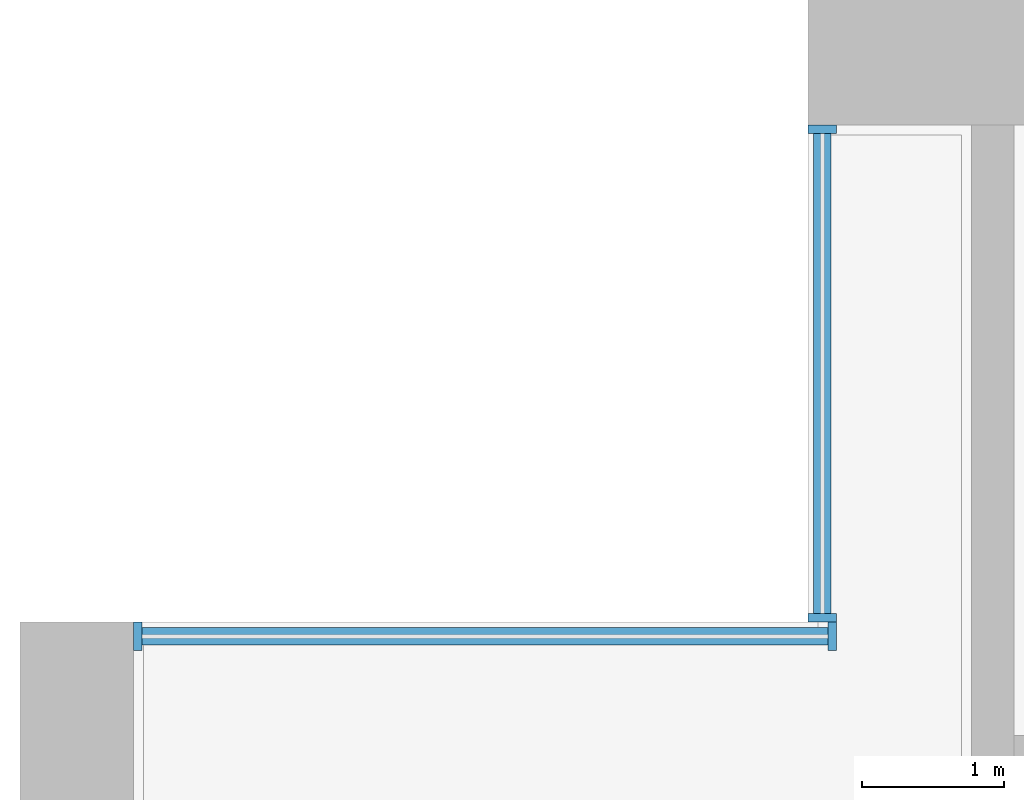
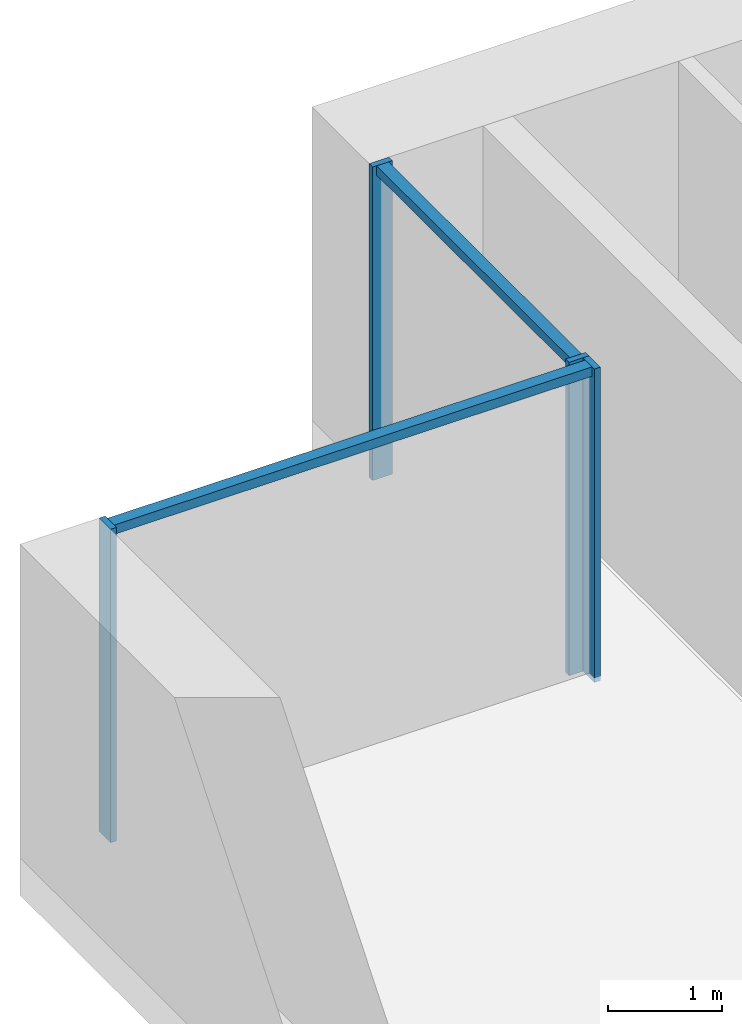
# One storey, part 4 of 17: 6 members, 2 elements without a shape of their own.
"""IFC4 building model written with IfcOpenShell, lengths in metres."""

from ifc_helpers import new_model, si_unit, direction, frame, origin, origin_2d, place, context, subcontext, project, spatial, rectangle, extrude, material, material_profile, profile_set, type_object, element, aggregate, save


model = new_model("IFC4")

# Units and contexts
model_context = context("Model", 3, precision=1e-05, world=origin(), true_north=direction((0.0, 1.0)))
body_context = subcontext(model_context, "Body", "Model", "MODEL_VIEW")
ifc_project = project(units=[si_unit("LENGTHUNIT", "METRE"), si_unit("AREAUNIT", "SQUARE_METRE"), si_unit("VOLUMEUNIT", "CUBIC_METRE"), si_unit("PLANEANGLEUNIT", "RADIAN"), si_unit("MASSUNIT", "GRAM", prefix="KILO")], contexts=[model_context])

# Site, building, storey
site_placement = place(None, origin())
site = spatial("IfcSite", under=ifc_project, at=site_placement, CompositionType="ELEMENT")
building_placement = place(site_placement, origin())
building = spatial("IfcBuilding", under=site, at=building_placement, Name="Calvaro Tower", CompositionType="ELEMENT")
storey_placement = place(building_placement, frame((0.0, 0.0, 75.0)))
storey = spatial("IfcBuildingStorey", under=building, at=storey_placement, Name="L18", CompositionType="ELEMENT", Elevation=75.0)

# Curtain wall, members
ifc_material_1 = material(Name="Anodised aluminium", Category="aluminium")
curtain_wall_type = type_object("IfcCurtainWallType", Name="Office curtain wall, lower zone", PredefinedType="NOTDEFINED", material=ifc_material_1)
curtain_wall_1_placement = place(storey_placement, origin())
curtain_wall_1 = element("IfcCurtainWall", 1, at=curtain_wall_1_placement, inside=storey, type_object=curtain_wall_type, Name="CW1 corner curtain wall", PredefinedType="NOTDEFINED")
ifc_material_2 = material(Name="Anodised aluminium", Category="aluminium")
ifc_material_profile_1 = material_profile(ifc_material_2, rectangle(XDim=0.199951171875, YDim=0.06005859375, at=origin_2d()), Name="Mullion S1 60 x 200")
ifc_profile_set_1 = profile_set([ifc_material_profile_1], Name="Anodised aluminium")
member_type_1 = type_object("IfcMemberType", Name="Mullion S1 60 x 200", PredefinedType="MULLION", material=ifc_profile_set_1)
member_1_placement = place(storey_placement, frame((5.64990234375, 41.530029296875, 0.0), z_axis=(0.0, 0.0, 1.0), x_axis=(-1.0, 0.0, 0.0)))
member_1 = element("IfcMember", 2, at=member_1_placement, type_object=member_type_1, Name="CW1 mullion 1", PredefinedType="MULLION", context=body_context, shape_type="SweptSolid", body=[
    extrude(rectangle(XDim=0.199951171875, YDim=0.06005859375, at=origin_2d()), origin(), (0.0, 0.0, 1.0), 3.35009765625),
])
member_2_placement = place(storey_placement, frame((5.64990234375, 44.969970703125, 0.0), z_axis=(0.0, 0.0, 1.0), x_axis=(-1.0, 0.0, 0.0)))
member_2 = element("IfcMember", 3, at=member_2_placement, type_object=member_type_1, Name="CW1 mullion 2", PredefinedType="MULLION", context=body_context, shape_type="SweptSolid", body=[
    extrude(rectangle(XDim=0.199951171875, YDim=0.06005859375, at=origin_2d()), origin(), (0.0, 0.0, 1.0), 3.35009765625),
])

curtain_wall_2_placement = place(storey_placement, origin())
curtain_wall_2 = element("IfcCurtainWall", 4, at=curtain_wall_2_placement, inside=storey, type_object=curtain_wall_type, Name="CW1 corner curtain wall", PredefinedType="NOTDEFINED")
member_3_placement = place(storey_placement, frame((0.830078125, 41.39990234375, 0.0), z_axis=(0.0, 0.0, 1.0), x_axis=(0.0, 1.0, 0.0)))
member_3 = element("IfcMember", 5, at=member_3_placement, type_object=member_type_1, Name="CW1 mullion 1", PredefinedType="MULLION", context=body_context, shape_type="SweptSolid", body=[
    extrude(rectangle(XDim=0.199951171875, YDim=0.06005859375, at=origin_2d()), origin(), (0.0, 0.0, 1.0), 3.35009765625),
])
member_4_placement = place(storey_placement, frame((5.719970703125, 41.39990234375, 0.0), z_axis=(0.0, 0.0, 1.0), x_axis=(0.0, 1.0, 0.0)))
member_4 = element("IfcMember", 6, at=member_4_placement, type_object=member_type_1, Name="CW1 mullion 2", PredefinedType="MULLION", context=body_context, shape_type="SweptSolid", body=[
    extrude(rectangle(XDim=0.199951171875, YDim=0.06005859375, at=origin_2d()), origin(), (0.0, 0.0, 1.0), 3.35009765625),
])

# Member
ifc_material_3 = material(Name="Anodised aluminium", Category="aluminium")
ifc_material_profile_2 = material_profile(ifc_material_3, rectangle(XDim=0.1201171875, YDim=0.10009765625, at=origin_2d()), Name="Transom S1 100 x 120")
ifc_profile_set_2 = profile_set([ifc_material_profile_2], Name="Anodised aluminium")
member_type_2 = type_object("IfcMemberType", Name="Transom S1 100 x 120", PredefinedType="USERDEFINED", material=ifc_profile_set_2)
member_5_placement = place(storey_placement, frame((5.64990234375, 41.56005859375, 3.300048828125), z_axis=(0.0, 1.0, 0.0), x_axis=(-1.0, 0.0, 0.0)))
member_5 = element("IfcMember", 7, at=member_5_placement, type_object=member_type_2, Name="CW1 transom 1.1", ObjectType="TRANSOM", PredefinedType="USERDEFINED", context=body_context, shape_type="SweptSolid", body=[
    extrude(rectangle(XDim=0.1201171875, YDim=0.10009765625, at=origin_2d()), origin(), (0.0, 0.0, 1.0), 3.3798828125),
])

aggregate(curtain_wall_1, [member_1, member_2, member_5])

member_6_placement = place(storey_placement, frame((0.860107421875, 41.39990234375, 3.300048828125), z_axis=(1.0, 0.0, 0.0), x_axis=(0.0, 1.0, 0.0)))
member_6 = element("IfcMember", 8, at=member_6_placement, type_object=member_type_2, Name="CW1 transom 1.1", ObjectType="TRANSOM", PredefinedType="USERDEFINED", context=body_context, shape_type="SweptSolid", body=[
    extrude(rectangle(XDim=0.1201171875, YDim=0.10009765625, at=origin_2d()), origin(), (0.0, 0.0, 1.0), 4.829833984375),
])

aggregate(curtain_wall_2, [member_3, member_4, member_6])

save(model, "model.ifc")
